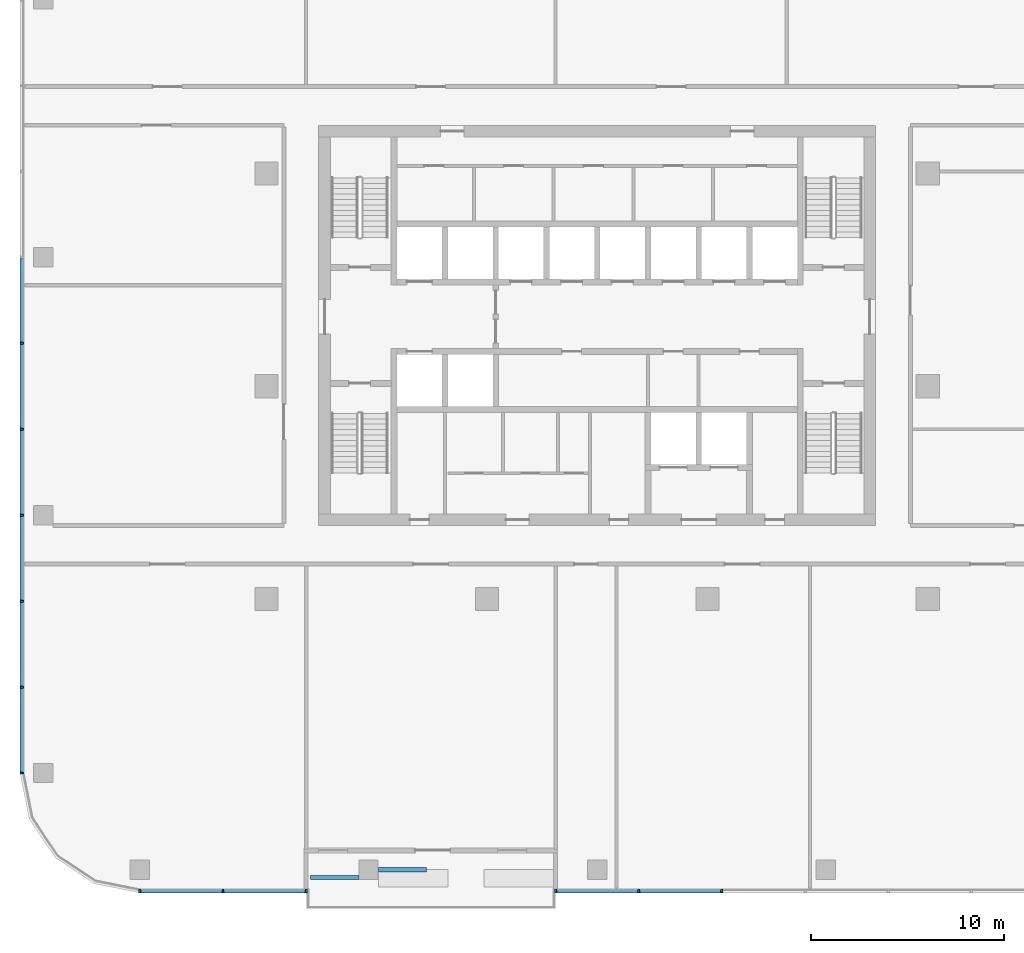
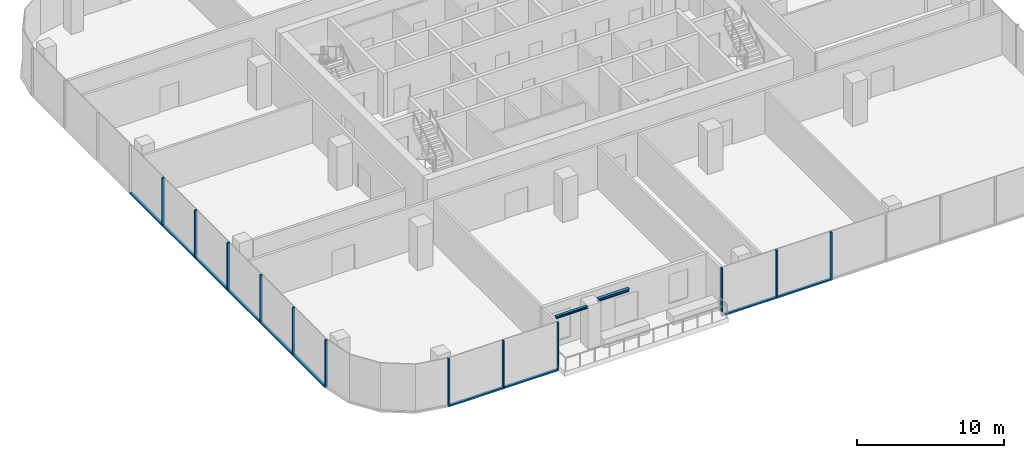
# One storey, part 2 of 13: 22 members, 2 beams, 3 elements without a shape of their own.
"""IFC4 building model written with IfcOpenShell, lengths in metres."""

from ifc_helpers import new_model, si_unit, direction, frame, origin, origin_2d, place, context, subcontext, project, spatial, rectangle, i_section, extrude, material, material_profile, profile_set, type_object, element, aggregate, save


model = new_model("IFC4")

# Units and contexts
model_context = context("Model", 3, precision=1e-05, world=origin(), true_north=direction((0.0, 1.0)))
body_context = subcontext(model_context, "Body", "Model", "MODEL_VIEW")
ifc_project = project(units=[si_unit("LENGTHUNIT", "METRE"), si_unit("AREAUNIT", "SQUARE_METRE"), si_unit("VOLUMEUNIT", "CUBIC_METRE"), si_unit("PLANEANGLEUNIT", "RADIAN"), si_unit("MASSUNIT", "GRAM", prefix="KILO")], contexts=[model_context])

# Site, building, storey
site_placement = place(None, origin())
site = spatial("IfcSite", under=ifc_project, at=site_placement, CompositionType="ELEMENT")
building_placement = place(site_placement, origin())
building = spatial("IfcBuilding", under=site, at=building_placement, Name="Mopane Tessera Tower", CompositionType="ELEMENT")
storey_placement = place(building_placement, frame((0.0, 0.0, 295.39990234375)))
storey = spatial("IfcBuildingStorey", under=building, at=storey_placement, Name="L64", CompositionType="ELEMENT", Elevation=295.39990234375)

# Curtain wall, members
ifc_material_1 = material(Name="Aluminium frame", Category="aluminium")
curtain_wall_type = type_object("IfcCurtainWallType", Name="Unitised curtain wall", PredefinedType="NOTDEFINED", material=ifc_material_1)
curtain_wall_1_placement = place(storey_placement, origin())
curtain_wall_1 = element("IfcCurtainWall", 1, at=curtain_wall_1_placement, inside=storey, type_object=curtain_wall_type, Name="e:cw:L64:S:0", PredefinedType="NOTDEFINED")
ifc_material_2 = material(Name="Aluminium frame", Category="aluminium")
ifc_material_profile_1 = material_profile(ifc_material_2, rectangle(XDim=0.10009765625, YDim=0.199951171875, at=origin_2d()))
ifc_profile_set_1 = profile_set([ifc_material_profile_1], Name="Aluminium frame")
member_type_1 = type_object("IfcMemberType", Name="Aluminium mullion 100 x 200", PredefinedType="MULLION", material=ifc_profile_set_1)
member_1_placement = place(storey_placement, frame((-23.64990234375, -26.10009765625, -0.39990234375), z_axis=(0.0, 0.0, 1.0), x_axis=(1.0, 0.0, 0.0)))
member_1 = element("IfcMember", 2, at=member_1_placement, type_object=member_type_1, Name="e:cw:L64:S:0:mu0", PredefinedType="MULLION", context=body_context, shape_type="SweptSolid", body=[
    extrude(rectangle(XDim=0.10009765625, YDim=0.199951171875, at=origin_2d()), origin(), (0.0, 0.0, 1.0), 4.0),
])
member_2_placement = place(storey_placement, frame((-19.35009765625, -26.10009765625, -0.39990234375), z_axis=(0.0, 0.0, 1.0), x_axis=(1.0, 0.0, 0.0)))
member_2 = element("IfcMember", 3, at=member_2_placement, type_object=member_type_1, Name="e:cw:L64:S:0:mu1", PredefinedType="MULLION", context=body_context, shape_type="SweptSolid", body=[
    extrude(rectangle(XDim=0.10009765625, YDim=0.199951171875, at=origin_2d()), origin(), (0.0, 0.0, 1.0), 4.0),
])
member_3_placement = place(storey_placement, frame((-15.050048828125, -26.10009765625, -0.39990234375), z_axis=(0.0, 0.0, 1.0), x_axis=(1.0, 0.0, 0.0)))
member_3 = element("IfcMember", 4, at=member_3_placement, type_object=member_type_1, Name="e:cw:L64:S:0:mu2", PredefinedType="MULLION", context=body_context, shape_type="SweptSolid", body=[
    extrude(rectangle(XDim=0.10009765625, YDim=0.199951171875, at=origin_2d()), origin(), (0.0, 0.0, 1.0), 4.0),
])

curtain_wall_2_placement = place(storey_placement, origin())
curtain_wall_2 = element("IfcCurtainWall", 5, at=curtain_wall_2_placement, inside=storey, type_object=curtain_wall_type, Name="e:cw:L64:S:5", PredefinedType="NOTDEFINED")
member_4_placement = place(storey_placement, frame((-2.14990234375, -26.10009765625, -0.39990234375), z_axis=(0.0, 0.0, 1.0), x_axis=(1.0, 0.0, 0.0)))
member_4 = element("IfcMember", 6, at=member_4_placement, type_object=member_type_1, Name="e:cw:L64:S:5:mu5", PredefinedType="MULLION", context=body_context, shape_type="SweptSolid", body=[
    extrude(rectangle(XDim=0.10009765625, YDim=0.199951171875, at=origin_2d()), origin(), (0.0, 0.0, 1.0), 4.0),
])
member_5_placement = place(storey_placement, frame((2.14990234375, -26.10009765625, -0.39990234375), z_axis=(0.0, 0.0, 1.0), x_axis=(1.0, 0.0, 0.0)))
member_5 = element("IfcMember", 7, at=member_5_placement, type_object=member_type_1, Name="e:cw:L64:S:5:mu6", PredefinedType="MULLION", context=body_context, shape_type="SweptSolid", body=[
    extrude(rectangle(XDim=0.10009765625, YDim=0.199951171875, at=origin_2d()), origin(), (0.0, 0.0, 1.0), 4.0),
])
member_6_placement = place(storey_placement, frame((6.449951171875, -26.10009765625, -0.39990234375), z_axis=(0.0, 0.0, 1.0), x_axis=(1.0, 0.0, 0.0)))
member_6 = element("IfcMember", 8, at=member_6_placement, type_object=member_type_1, Name="e:cw:L64:S:5:mu7", PredefinedType="MULLION", context=body_context, shape_type="SweptSolid", body=[
    extrude(rectangle(XDim=0.10009765625, YDim=0.199951171875, at=origin_2d()), origin(), (0.0, 0.0, 1.0), 4.0),
])

curtain_wall_3_placement = place(storey_placement, origin())
curtain_wall_3 = element("IfcCurtainWall", 9, at=curtain_wall_3_placement, inside=storey, type_object=curtain_wall_type, Name="e:cw:L64:W:0", PredefinedType="NOTDEFINED")
member_7_placement = place(storey_placement, frame((-29.75, 2.22216796875, -0.39990234375), z_axis=(0.0, 0.0, 1.0), x_axis=(0.0, -1.0, 0.0)))
member_7 = element("IfcMember", 10, at=member_7_placement, type_object=member_type_1, Name="e:cw:L64:W:0:mu4", PredefinedType="MULLION", context=body_context, shape_type="SweptSolid", body=[
    extrude(rectangle(XDim=0.10009765625, YDim=0.199951171875, at=origin_2d()), origin(), (0.0, 0.0, 1.0), 4.0),
])
member_8_placement = place(storey_placement, frame((-29.75, -2.22216796875, -0.39990234375), z_axis=(0.0, 0.0, 1.0), x_axis=(0.0, -1.0, 0.0)))
member_8 = element("IfcMember", 11, at=member_8_placement, type_object=member_type_1, Name="e:cw:L64:W:0:mu5", PredefinedType="MULLION", context=body_context, shape_type="SweptSolid", body=[
    extrude(rectangle(XDim=0.10009765625, YDim=0.199951171875, at=origin_2d()), origin(), (0.0, 0.0, 1.0), 4.0),
])
member_9_placement = place(storey_placement, frame((-29.75, -6.666748046875, -0.39990234375), z_axis=(0.0, 0.0, 1.0), x_axis=(0.0, -1.0, 0.0)))
member_9 = element("IfcMember", 12, at=member_9_placement, type_object=member_type_1, Name="e:cw:L64:W:0:mu6", PredefinedType="MULLION", context=body_context, shape_type="SweptSolid", body=[
    extrude(rectangle(XDim=0.10009765625, YDim=0.199951171875, at=origin_2d()), origin(), (0.0, 0.0, 1.0), 4.0),
])
member_10_placement = place(storey_placement, frame((-29.75, -11.111083984375, -0.39990234375), z_axis=(0.0, 0.0, 1.0), x_axis=(0.0, -1.0, 0.0)))
member_10 = element("IfcMember", 13, at=member_10_placement, type_object=member_type_1, Name="e:cw:L64:W:0:mu7", PredefinedType="MULLION", context=body_context, shape_type="SweptSolid", body=[
    extrude(rectangle(XDim=0.10009765625, YDim=0.199951171875, at=origin_2d()), origin(), (0.0, 0.0, 1.0), 4.0),
])
member_11_placement = place(storey_placement, frame((-29.75, -15.5556640625, -0.39990234375), z_axis=(0.0, 0.0, 1.0), x_axis=(0.0, -1.0, 0.0)))
member_11 = element("IfcMember", 14, at=member_11_placement, type_object=member_type_1, Name="e:cw:L64:W:0:mu8", PredefinedType="MULLION", context=body_context, shape_type="SweptSolid", body=[
    extrude(rectangle(XDim=0.10009765625, YDim=0.199951171875, at=origin_2d()), origin(), (0.0, 0.0, 1.0), 4.0),
])
member_12_placement = place(storey_placement, frame((-29.75, -20.0, -0.39990234375), z_axis=(0.0, 0.0, 1.0), x_axis=(0.0, -1.0, 0.0)))
member_12 = element("IfcMember", 15, at=member_12_placement, type_object=member_type_1, Name="e:cw:L64:W:0:mu9", PredefinedType="MULLION", context=body_context, shape_type="SweptSolid", body=[
    extrude(rectangle(XDim=0.10009765625, YDim=0.199951171875, at=origin_2d()), origin(), (0.0, 0.0, 1.0), 4.0),
])

# Member
ifc_material_3 = material(Name="Aluminium frame", Category="aluminium")
ifc_material_profile_2 = material_profile(ifc_material_3, rectangle(XDim=0.199951171875, YDim=0.1201171875, at=origin_2d()))
ifc_profile_set_2 = profile_set([ifc_material_profile_2], Name="Aluminium frame")
member_type_2 = type_object("IfcMemberType", Name="Aluminium transom 200 x 120", PredefinedType="USERDEFINED", material=ifc_profile_set_2)
member_13_placement = place(storey_placement, frame((-23.60009765625, -26.10009765625, -0.33984375), z_axis=(1.0, 0.0, 0.0), x_axis=(0.0, 1.0, 0.0)))
member_13 = element("IfcMember", 16, at=member_13_placement, type_object=member_type_2, Name="e:cw:L64:S:0:tr0", ObjectType="TRANSOM", PredefinedType="USERDEFINED", context=body_context, shape_type="SweptSolid", body=[
    extrude(rectangle(XDim=0.199951171875, YDim=0.1201171875, at=origin_2d()), origin(), (0.0, 0.0, 1.0), 4.2001953125),
])

member_14_placement = place(storey_placement, frame((-19.300048828125, -26.10009765625, -0.33984375), z_axis=(1.0, 0.0, 0.0), x_axis=(0.0, 1.0, 0.0)))
member_14 = element("IfcMember", 17, at=member_14_placement, type_object=member_type_2, Name="e:cw:L64:S:0:tr1", ObjectType="TRANSOM", PredefinedType="USERDEFINED", context=body_context, shape_type="SweptSolid", body=[
    extrude(rectangle(XDim=0.199951171875, YDim=0.1201171875, at=origin_2d()), origin(), (0.0, 0.0, 1.0), 4.199951171875),
])

aggregate(curtain_wall_1, [member_1, member_2, member_3, member_13, member_14])

member_15_placement = place(storey_placement, frame((-2.10009765625, -26.10009765625, -0.33984375), z_axis=(1.0, 0.0, 0.0), x_axis=(0.0, 1.0, 0.0)))
member_15 = element("IfcMember", 18, at=member_15_placement, type_object=member_type_2, Name="e:cw:L64:S:5:tr5", ObjectType="TRANSOM", PredefinedType="USERDEFINED", context=body_context, shape_type="SweptSolid", body=[
    extrude(rectangle(XDim=0.199951171875, YDim=0.1201171875, at=origin_2d()), origin(), (0.0, 0.0, 1.0), 4.2001953125),
])

member_16_placement = place(storey_placement, frame((2.199951171875, -26.10009765625, -0.33984375), z_axis=(1.0, 0.0, 0.0), x_axis=(0.0, 1.0, 0.0)))
member_16 = element("IfcMember", 19, at=member_16_placement, type_object=member_type_2, Name="e:cw:L64:S:5:tr6", ObjectType="TRANSOM", PredefinedType="USERDEFINED", context=body_context, shape_type="SweptSolid", body=[
    extrude(rectangle(XDim=0.199951171875, YDim=0.1201171875, at=origin_2d()), origin(), (0.0, 0.0, 1.0), 4.199951171875),
])

aggregate(curtain_wall_2, [member_4, member_5, member_6, member_15, member_16])

member_17_placement = place(storey_placement, frame((-29.75, 6.61669921875, -0.33984375), z_axis=(0.0, -1.0, 0.0), x_axis=(1.0, 0.0, 0.0)))
member_17 = element("IfcMember", 20, at=member_17_placement, type_object=member_type_2, Name="e:cw:L64:W:0:tr3", ObjectType="TRANSOM", PredefinedType="USERDEFINED", context=body_context, shape_type="SweptSolid", body=[
    extrude(rectangle(XDim=0.199951171875, YDim=0.1201171875, at=origin_2d()), origin(), (0.0, 0.0, 1.0), 4.344482421875),
])

member_18_placement = place(storey_placement, frame((-29.75, 2.172119140625, -0.33984375), z_axis=(0.0, -1.0, 0.0), x_axis=(1.0, 0.0, 0.0)))
member_18 = element("IfcMember", 21, at=member_18_placement, type_object=member_type_2, Name="e:cw:L64:W:0:tr4", ObjectType="TRANSOM", PredefinedType="USERDEFINED", context=body_context, shape_type="SweptSolid", body=[
    extrude(rectangle(XDim=0.199951171875, YDim=0.1201171875, at=origin_2d()), origin(), (0.0, 0.0, 1.0), 4.34423828125),
])

member_19_placement = place(storey_placement, frame((-29.75, -2.272216796875, -0.33984375), z_axis=(0.0, -1.0, 0.0), x_axis=(1.0, 0.0, 0.0)))
member_19 = element("IfcMember", 22, at=member_19_placement, type_object=member_type_2, Name="e:cw:L64:W:0:tr5", ObjectType="TRANSOM", PredefinedType="USERDEFINED", context=body_context, shape_type="SweptSolid", body=[
    extrude(rectangle(XDim=0.199951171875, YDim=0.1201171875, at=origin_2d()), origin(), (0.0, 0.0, 1.0), 4.344482421875),
])

member_20_placement = place(storey_placement, frame((-29.75, -6.716552734375, -0.33984375), z_axis=(0.0, -1.0, 0.0), x_axis=(1.0, 0.0, 0.0)))
member_20 = element("IfcMember", 23, at=member_20_placement, type_object=member_type_2, Name="e:cw:L64:W:0:tr6", ObjectType="TRANSOM", PredefinedType="USERDEFINED", context=body_context, shape_type="SweptSolid", body=[
    extrude(rectangle(XDim=0.199951171875, YDim=0.1201171875, at=origin_2d()), origin(), (0.0, 0.0, 1.0), 4.344482421875),
])

member_21_placement = place(storey_placement, frame((-29.75, -11.1611328125, -0.33984375), z_axis=(0.0, -1.0, 0.0), x_axis=(1.0, 0.0, 0.0)))
member_21 = element("IfcMember", 24, at=member_21_placement, type_object=member_type_2, Name="e:cw:L64:W:0:tr7", ObjectType="TRANSOM", PredefinedType="USERDEFINED", context=body_context, shape_type="SweptSolid", body=[
    extrude(rectangle(XDim=0.199951171875, YDim=0.1201171875, at=origin_2d()), origin(), (0.0, 0.0, 1.0), 4.344482421875),
])

member_22_placement = place(storey_placement, frame((-29.75, -15.60546875, -0.33984375), z_axis=(0.0, -1.0, 0.0), x_axis=(1.0, 0.0, 0.0)))
member_22 = element("IfcMember", 25, at=member_22_placement, type_object=member_type_2, Name="e:cw:L64:W:0:tr8", ObjectType="TRANSOM", PredefinedType="USERDEFINED", context=body_context, shape_type="SweptSolid", body=[
    extrude(rectangle(XDim=0.199951171875, YDim=0.1201171875, at=origin_2d()), origin(), (0.0, 0.0, 1.0), 4.344482421875),
])

aggregate(curtain_wall_3, [member_7, member_8, member_9, member_10, member_11, member_12, member_17, member_18, member_19, member_20, member_21, member_22])

# Beams
ifc_material_4 = material(Name="Structural steel S460", Category="steel")
ifc_material_profile_3 = material_profile(ifc_material_4, i_section(OverallWidth=0.239990234375, OverallDepth=0.239990234375, WebThickness=0.010009765625, FlangeThickness=0.01708984375, FilletRadius=0.02099609375, at=origin_2d()))
ifc_profile_set_3 = profile_set([ifc_material_profile_3], Name="Structural steel S460")
beam_type_1 = type_object("IfcBeamType", Name="Terrace spandrel beam HE 240 B", PredefinedType="SPANDREL", material=ifc_profile_set_3)
beam_1_placement = place(storey_placement, frame((-11.322021484375, -25.0, 3.47998046875), z_axis=(1.0, 0.0, 0.0), x_axis=(0.0, 1.0, 0.0)))
element("IfcBeam", 26, at=beam_1_placement, inside=storey, type_object=beam_type_1, Name="Terrace spandrel beam N3 L65", PredefinedType="SPANDREL", context=body_context, shape_type="SweptSolid", body=[
    extrude(i_section(OverallWidth=0.239990234375, OverallDepth=0.239990234375, WebThickness=0.010009765625, FlangeThickness=0.01708984375, FilletRadius=0.02099609375, at=origin_2d()), origin(), (0.0, 0.0, 1.0), 2.5),
])
ifc_material_5 = material(Name="Structural steel S460", Category="steel")
ifc_material_profile_4 = material_profile(ifc_material_5, i_section(OverallWidth=0.199951171875, OverallDepth=0.199951171875, WebThickness=0.009033203125, FlangeThickness=0.014892578125, FilletRadius=0.01806640625, at=origin_2d()))
ifc_profile_set_4 = profile_set([ifc_material_profile_4], Name="Structural steel S460")
beam_type_2 = type_object("IfcBeamType", Name="Terrace trimmer beam HE 200 B", PredefinedType="BEAM", material=ifc_profile_set_4)
beam_2_placement = place(storey_placement, frame((-12.327880859375, -25.39990234375, 3.5), z_axis=(-1.0, 0.0, 0.0), x_axis=(0.0, -1.0, 0.0)))
element("IfcBeam", 27, at=beam_2_placement, inside=storey, type_object=beam_type_2, Name="Terrace trimmer beam N3 L65", PredefinedType="BEAM", context=body_context, shape_type="SweptSolid", body=[
    extrude(i_section(OverallWidth=0.199951171875, OverallDepth=0.199951171875, WebThickness=0.009033203125, FlangeThickness=0.014892578125, FilletRadius=0.01806640625, at=origin_2d()), origin(), (0.0, 0.0, 1.0), 2.5),
])

save(model, "model.ifc")
